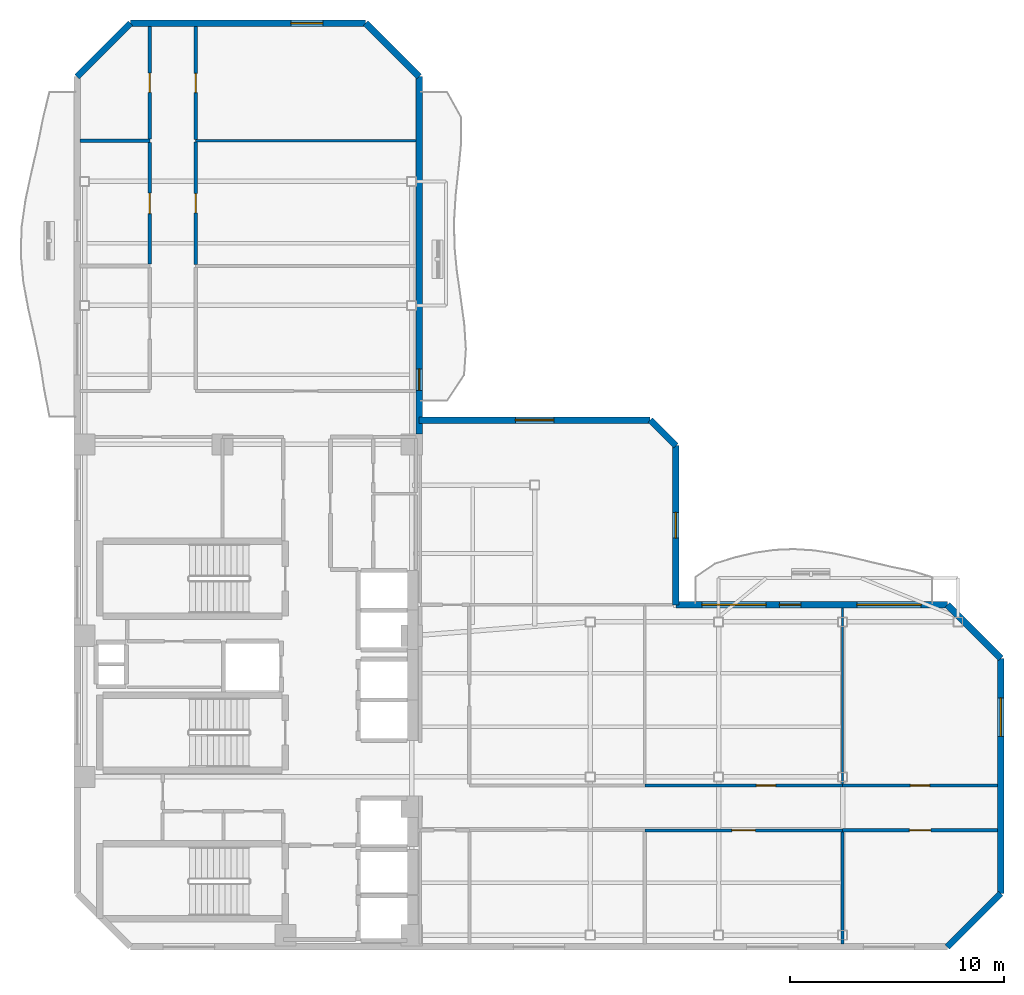
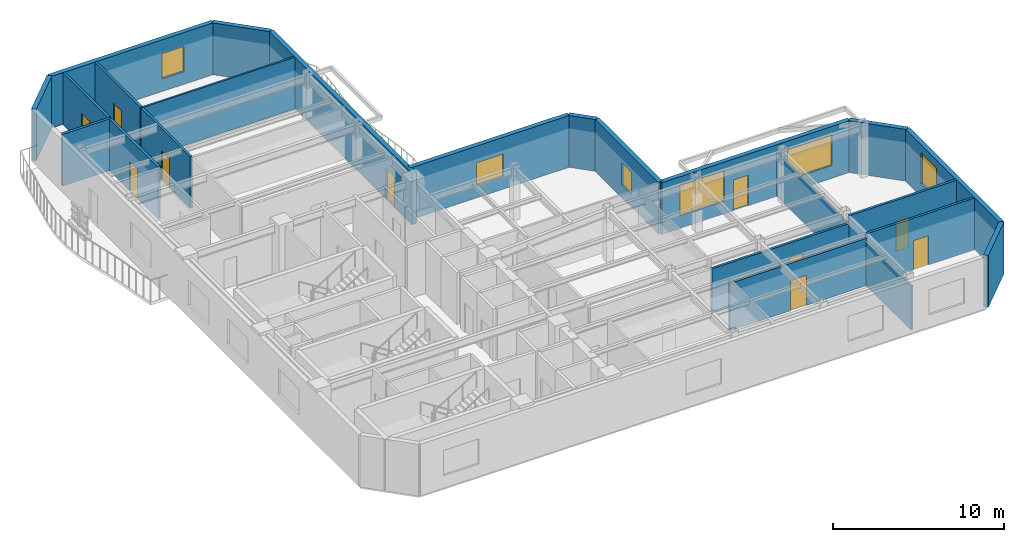
# One storey, part 5 of 9: 23 walls, 10 doors, 6 windows, 16 openings.
"""IFC4 building model written with IfcOpenShell, lengths in metres."""

from ifc_helpers import new_model, si_unit, direction, frame, frame_2d, origin, place, context, subcontext, project, spatial, rectangle, extrude, material, layer, layer_set, type_object, element, fill, save


model = new_model("IFC4")

# Units and contexts
model_context = context("Model", 3, precision=1e-05, world=origin(), true_north=direction((0.0, 1.0)))
body_context = subcontext(model_context, "Body", "Model", "MODEL_VIEW")
ifc_project = project(units=[si_unit("LENGTHUNIT", "METRE"), si_unit("AREAUNIT", "SQUARE_METRE"), si_unit("VOLUMEUNIT", "CUBIC_METRE"), si_unit("PLANEANGLEUNIT", "RADIAN"), si_unit("MASSUNIT", "GRAM", prefix="KILO")], contexts=[model_context])

# Site, building, storey
site_placement = place(None, origin())
site = spatial("IfcSite", under=ifc_project, at=site_placement, CompositionType="ELEMENT")
building_placement = place(site_placement, origin())
building = spatial("IfcBuilding", under=site, at=building_placement, Name="Mawjaban Terraces University", CompositionType="ELEMENT")
storey_placement = place(building_placement, frame((0.0, 0.0, 179.699951171875)))
storey = spatial("IfcBuildingStorey", under=building, at=storey_placement, Name="L43", CompositionType="ELEMENT", Elevation=179.699951171875)

# Wall
ifc_material_1 = material(Name="Acoustic masonry blockwork", Category="masonry")
ifc_layer_1 = layer(ifc_material_1, 0.179931640625)
ifc_layer_set_1 = layer_set([ifc_layer_1], Name="Acoustic masonry blockwork")
wall_type_1 = type_object("IfcWallType", Name="AcousticStudioWall_180", PredefinedType="PARTITIONING", material=ifc_layer_set_1)
wall_1_placement = place(storey_placement, frame((25.39990234375, 37.699951171875, 0.0), z_axis=(0.0, 0.0, 1.0), x_axis=(-1.0, 0.0, 0.0)))
element("IfcWall", 1, at=wall_1_placement, inside=storey, type_object=wall_type_1, Name="L43 Design Studio 10 Partition 5", PredefinedType="PARTITIONING", context=body_context, shape_type="SweptSolid", body=[
    extrude(rectangle(XDim=3.2548828125, YDim=0.179931640625, at=frame_2d((1.62744140625, 0.0))), origin(), (0.0, 0.0, 1.0), 3.68994140625),
])

# Wall, opening, door
wall_2_placement = place(storey_placement, frame((25.39990234375, 37.614990234375, 0.0), z_axis=(0.0, 0.0, 1.0), x_axis=(0.0, -1.0, 0.0)))
wall_2 = element("IfcWall", 2, at=wall_2_placement, inside=storey, type_object=wall_type_1, Name="L43 West Shifted Academic Corridor Partition 31", PredefinedType="PARTITIONING", context=body_context, shape_type="SweptSolid", body=[
    extrude(rectangle(XDim=5.679931640625, YDim=0.179931640625, at=frame_2d((2.83984375, 0.0))), origin(), (0.0, 0.0, 1.0), 3.68994140625),
])
opening_1_placement = place(wall_2_placement, frame((2.364990234375, 0.0, 0.0)))
opening_1 = element("IfcOpeningElement", 3, at=opening_1_placement, cuts=wall_2, Name="Opening ID-095", PredefinedType="OPENING", context=body_context, shape_type="SweptSolid", body=[
    extrude(rectangle(XDim=0.949951171875, YDim=2.10009765625, at=frame_2d((0.47509765625, 1.050048828125))), frame((0.0, 0.099853515625, 0.0), z_axis=(0.0, -1.0, 0.0), x_axis=(1.0, 0.0, 0.0)), (0.0, 0.0, 1.0), 0.199951171875),
])
ifc_material_2 = material(Name="Powder-coated steel frame and solid acoustic timber leaf", Category="steel")
door_type_1 = type_object("IfcDoorType", Name="StudioDoor_950x2100", OperationType="NOTDEFINED", PredefinedType="DOOR", material=ifc_material_2)
door_1_placement = place(opening_1_placement, origin())
door_1 = element("IfcDoor", 4, at=door_1_placement, inside=storey, type_object=door_type_1, Name="L43 Design Studio 10 Door", OperationType="SINGLE_SWING_RIGHT", OverallHeight=2.10009765625, OverallWidth=0.949951171875, PredefinedType="DOOR", context=body_context, shape_type="SweptSolid", body=[
    extrude(rectangle(XDim=0.949951171875, YDim=2.10009765625, at=frame_2d((0.47509765625, 1.050048828125))), frame((0.0, 0.02490234375, 0.0), z_axis=(0.0, -1.0, 0.0), x_axis=(1.0, 0.0, 0.0)), (0.0, 0.0, 1.0), 0.050048828125),
])
fill(opening_1, door_1)

ifc_material_3 = material(Name="Fire-rated gypsum board on steel stud", Category="steel")
ifc_layer_2 = layer(ifc_material_3, 0.159912109375)
ifc_layer_set_2 = layer_set([ifc_layer_2], Name="Fire-rated gypsum board on steel stud")
wall_type_2 = type_object("IfcWallType", Name="CorridorPartition_160", PredefinedType="PARTITIONING", material=ifc_layer_set_2)
wall_3_placement = place(storey_placement, frame((57.800048828125, 5.449951171875, 0.0), z_axis=(0.0, 0.0, 1.0), x_axis=(1.0, 0.0, 0.0)))
wall_3 = element("IfcWall", 5, at=wall_3_placement, inside=storey, type_object=wall_type_2, Name="L43 South Shifted Academic Corridor Partition 26", PredefinedType="PARTITIONING", context=body_context, shape_type="SweptSolid", body=[
    extrude(rectangle(XDim=7.2548828125, YDim=0.159912109375, at=frame_2d((3.62744140625, 0.0))), origin(), (0.0, 0.0, 1.0), 3.68994140625),
])
opening_2_placement = place(wall_3_placement, frame((3.1279296875, 0.0, 0.0)))
opening_2 = element("IfcOpeningElement", 6, at=opening_2_placement, cuts=wall_3, Name="Opening ID-100", PredefinedType="OPENING", context=body_context, shape_type="SweptSolid", body=[
    extrude(rectangle(XDim=1.0, YDim=2.10009765625, at=frame_2d((0.5, 1.050048828125))), frame((0.0, 0.08984375, 0.0), z_axis=(0.0, -1.0, 0.0), x_axis=(1.0, 0.0, 0.0)), (0.0, 0.0, 1.0), 0.179931640625),
])
door_type_2 = type_object("IfcDoorType", Name="ClassroomDoor_1000x2100", OperationType="NOTDEFINED", PredefinedType="DOOR", material=ifc_material_2)
door_2_placement = place(opening_2_placement, origin())
door_2 = element("IfcDoor", 7, at=door_2_placement, inside=storey, type_object=door_type_2, Name="L43 Classroom 6 Door", OperationType="SINGLE_SWING_RIGHT", OverallHeight=2.10009765625, OverallWidth=1.0, PredefinedType="DOOR", context=body_context, shape_type="SweptSolid", body=[
    extrude(rectangle(XDim=1.0, YDim=2.10009765625, at=frame_2d((0.5, 1.050048828125))), frame((0.0, 0.02490234375, 0.0), z_axis=(0.0, -1.0, 0.0), x_axis=(1.0, 0.0, 0.0)), (0.0, 0.0, 1.0), 0.050048828125),
])
fill(opening_2, door_2)

wall_4_placement = place(storey_placement, frame((57.800048828125, 7.550048828125, 0.0), z_axis=(0.0, 0.0, 1.0), x_axis=(-1.0, 0.0, 0.0)))
wall_4 = element("IfcWall", 8, at=wall_4_placement, inside=storey, type_object=wall_type_2, Name="L43 South Shifted Academic Corridor Partition 27", PredefinedType="PARTITIONING", context=body_context, shape_type="SweptSolid", body=[
    extrude(rectangle(XDim=9.25, YDim=0.159912109375, at=frame_2d((4.625, 0.0))), origin(), (0.0, 0.0, 1.0), 3.14599609375),
])
opening_3_placement = place(wall_4_placement, frame((3.125, 0.0, 0.0)))
opening_3 = element("IfcOpeningElement", 9, at=opening_3_placement, cuts=wall_4, Name="Opening ID-090", PredefinedType="OPENING", context=body_context, shape_type="SweptSolid", body=[
    extrude(rectangle(XDim=0.89990234375, YDim=2.10009765625, at=frame_2d((0.449951171875, 1.050048828125))), frame((0.0, 0.08984375, 0.0), z_axis=(0.0, -1.0, 0.0), x_axis=(1.0, 0.0, 0.0)), (0.0, 0.0, 1.0), 0.179931640625),
])
door_type_3 = type_object("IfcDoorType", Name="OfficeDoor_900x2100", OperationType="NOTDEFINED", PredefinedType="DOOR", material=ifc_material_2)
door_3_placement = place(opening_3_placement, origin())
door_3 = element("IfcDoor", 10, at=door_3_placement, inside=storey, type_object=door_type_3, Name="L43 Seminar Room 5 Door", OperationType="SINGLE_SWING_LEFT", OverallHeight=2.10009765625, OverallWidth=0.89990234375, PredefinedType="DOOR", context=body_context, shape_type="SweptSolid", body=[
    extrude(rectangle(XDim=0.89990234375, YDim=2.10009765625, at=frame_2d((0.449951171875, 1.050048828125))), frame((0.0, 0.02490234375, 0.0), z_axis=(0.0, -1.0, 0.0), x_axis=(1.0, 0.0, 0.0)), (0.0, 0.0, 1.0), 0.050048828125),
])
fill(opening_3, door_3)

wall_5_placement = place(storey_placement, frame((65.054931640625, 7.550048828125, 0.0), z_axis=(0.0, 0.0, 1.0), x_axis=(-1.0, 0.0, 0.0)))
wall_5 = element("IfcWall", 11, at=wall_5_placement, inside=storey, type_object=wall_type_2, Name="L43 South Shifted Academic Corridor Partition 28", PredefinedType="PARTITIONING", context=body_context, shape_type="SweptSolid", body=[
    extrude(rectangle(XDim=7.2548828125, YDim=0.159912109375, at=frame_2d((3.62744140625, 0.0))), origin(), (0.0, 0.0, 1.0), 3.68994140625),
])
opening_4_placement = place(wall_5_placement, frame((3.177978515625, 0.0, 0.0)))
opening_4 = element("IfcOpeningElement", 12, at=opening_4_placement, cuts=wall_5, Name="Opening ID-090", PredefinedType="OPENING", context=body_context, shape_type="SweptSolid", body=[
    extrude(rectangle(XDim=0.89990234375, YDim=2.10009765625, at=frame_2d((0.449951171875, 1.050048828125))), frame((0.0, 0.08984375, 0.0), z_axis=(0.0, -1.0, 0.0), x_axis=(1.0, 0.0, 0.0)), (0.0, 0.0, 1.0), 0.179931640625),
])
door_4_placement = place(opening_4_placement, origin())
door_4 = element("IfcDoor", 13, at=door_4_placement, inside=storey, type_object=door_type_3, Name="L43 Faculty Office 7 Door", OperationType="SINGLE_SWING_LEFT", OverallHeight=2.10009765625, OverallWidth=0.89990234375, PredefinedType="DOOR", context=body_context, shape_type="SweptSolid", body=[
    extrude(rectangle(XDim=0.89990234375, YDim=2.10009765625, at=frame_2d((0.449951171875, 1.050048828125))), frame((0.0, 0.02490234375, 0.0), z_axis=(0.0, -1.0, 0.0), x_axis=(1.0, 0.0, 0.0)), (0.0, 0.0, 1.0), 0.050048828125),
])
fill(opening_4, door_4)

wall_6_placement = place(storey_placement, frame((25.39990234375, 43.054931640625, 0.0), z_axis=(0.0, 0.0, 1.0), x_axis=(0.0, -1.0, 0.0)))
wall_6 = element("IfcWall", 14, at=wall_6_placement, inside=storey, type_object=wall_type_2, Name="L43 West Shifted Academic Corridor Partition 32", PredefinedType="PARTITIONING", context=body_context, shape_type="SweptSolid", body=[
    extrude(rectangle(XDim=5.27001953125, YDim=0.159912109375, at=frame_2d((2.635009765625, 0.0))), origin(), (0.0, 0.0, 1.0), 3.68994140625),
])
opening_5_placement = place(wall_6_placement, frame((2.18505859375, 0.0, 0.0)))
opening_5 = element("IfcOpeningElement", 15, at=opening_5_placement, cuts=wall_6, Name="Opening ID-090", PredefinedType="OPENING", context=body_context, shape_type="SweptSolid", body=[
    extrude(rectangle(XDim=0.89990234375, YDim=2.10009765625, at=frame_2d((0.449951171875, 1.050048828125))), frame((0.0, 0.08984375, 0.0), z_axis=(0.0, -1.0, 0.0), x_axis=(1.0, 0.0, 0.0)), (0.0, 0.0, 1.0), 0.179931640625),
])
door_5_placement = place(opening_5_placement, origin())
door_5 = element("IfcDoor", 16, at=door_5_placement, inside=storey, type_object=door_type_3, Name="L43 Quiet Reading Room 12 Door", OperationType="SINGLE_SWING_RIGHT", OverallHeight=2.10009765625, OverallWidth=0.89990234375, PredefinedType="DOOR", context=body_context, shape_type="SweptSolid", body=[
    extrude(rectangle(XDim=0.89990234375, YDim=2.10009765625, at=frame_2d((0.449951171875, 1.050048828125))), frame((0.0, 0.02490234375, 0.0), z_axis=(0.0, -1.0, 0.0), x_axis=(1.0, 0.0, 0.0)), (0.0, 0.0, 1.0), 0.050048828125),
])
fill(opening_5, door_5)

wall_7_placement = place(storey_placement, frame((27.550048828125, 31.91796875, 0.0), z_axis=(0.0, 0.0, 1.0), x_axis=(0.0, 1.0, 0.0)))
wall_7 = element("IfcWall", 17, at=wall_7_placement, inside=storey, type_object=wall_type_2, Name="L43 West Shifted Academic Corridor Partition 36", PredefinedType="PARTITIONING", context=body_context, shape_type="SweptSolid", body=[
    extrude(rectangle(XDim=5.72509765625, YDim=0.159912109375, at=frame_2d((2.862548828125, 0.0))), origin(), (0.0, 0.0, 1.0), 3.68994140625),
])
opening_6_placement = place(wall_7_placement, frame((2.4130859375, 0.0, 0.0)))
opening_6 = element("IfcOpeningElement", 18, at=opening_6_placement, cuts=wall_7, Name="Opening ID-090", PredefinedType="OPENING", context=body_context, shape_type="SweptSolid", body=[
    extrude(rectangle(XDim=0.89990234375, YDim=2.10009765625, at=frame_2d((0.449951171875, 1.050048828125))), frame((0.0, 0.08984375, 0.0), z_axis=(0.0, -1.0, 0.0), x_axis=(1.0, 0.0, 0.0)), (0.0, 0.0, 1.0), 0.179931640625),
])
door_6_placement = place(opening_6_placement, origin())
door_6 = element("IfcDoor", 19, at=door_6_placement, inside=storey, type_object=door_type_3, Name="L43 Faculty Office 11 Door", OperationType="SINGLE_SWING_LEFT", OverallHeight=2.10009765625, OverallWidth=0.89990234375, PredefinedType="DOOR", context=body_context, shape_type="SweptSolid", body=[
    extrude(rectangle(XDim=0.89990234375, YDim=2.10009765625, at=frame_2d((0.449951171875, 1.050048828125))), frame((0.0, 0.02490234375, 0.0), z_axis=(0.0, -1.0, 0.0), x_axis=(1.0, 0.0, 0.0)), (0.0, 0.0, 1.0), 0.050048828125),
])
fill(opening_6, door_6)

wall_8_placement = place(storey_placement, frame((27.550048828125, 37.758056640625, 0.0), z_axis=(0.0, 0.0, 1.0), x_axis=(0.0, 1.0, 0.0)))
wall_8 = element("IfcWall", 20, at=wall_8_placement, inside=storey, type_object=wall_type_2, Name="L43 West Shifted Academic Corridor Partition 37", PredefinedType="PARTITIONING", context=body_context, shape_type="SweptSolid", body=[
    extrude(rectangle(XDim=5.296875, YDim=0.159912109375, at=frame_2d((2.6484375, 0.0))), origin(), (0.0, 0.0, 1.0), 3.68994140625),
])
opening_7_placement = place(wall_8_placement, frame((2.197998046875, 0.0, 0.0)))
opening_7 = element("IfcOpeningElement", 21, at=opening_7_placement, cuts=wall_8, Name="Opening ID-090", PredefinedType="OPENING", context=body_context, shape_type="SweptSolid", body=[
    extrude(rectangle(XDim=0.89990234375, YDim=2.10009765625, at=frame_2d((0.449951171875, 1.050048828125))), frame((0.0, 0.08984375, 0.0), z_axis=(0.0, -1.0, 0.0), x_axis=(1.0, 0.0, 0.0)), (0.0, 0.0, 1.0), 0.179931640625),
])
door_7_placement = place(opening_7_placement, origin())
door_7 = element("IfcDoor", 22, at=door_7_placement, inside=storey, type_object=door_type_3, Name="L43 Collaborative Study Room 13 Door", OperationType="SINGLE_SWING_LEFT", OverallHeight=2.10009765625, OverallWidth=0.89990234375, PredefinedType="DOOR", context=body_context, shape_type="SweptSolid", body=[
    extrude(rectangle(XDim=0.89990234375, YDim=2.10009765625, at=frame_2d((0.449951171875, 1.050048828125))), frame((0.0, 0.02490234375, 0.0), z_axis=(0.0, -1.0, 0.0), x_axis=(1.0, 0.0, 0.0)), (0.0, 0.0, 1.0), 0.050048828125),
])
fill(opening_7, door_7)

# Wall
ifc_material_4 = material(Name="Insulated terracotta rainscreen on concrete backup C40/50", Category="masonry")
ifc_layer_3 = layer(ifc_material_4, 0.300048828125)
ifc_layer_set_3 = layer_set([ifc_layer_3], Name="Insulated terracotta rainscreen on concrete backup C40/50")
wall_type_3 = type_object("IfcWallType", Name="ExtTerracottaWall_300", PredefinedType="SOLIDWALL", material=ifc_layer_set_3)
wall_9_placement = place(storey_placement, frame((62.699951171875, 0.0, 0.0), z_axis=(0.0, 0.0, 1.0), x_axis=(0.707106781187, 0.707106781187, 0.0)))
element("IfcWall", 23, at=wall_9_placement, inside=storey, type_object=wall_type_3, Name="L43 Exterior Terracotta Wall 2", PredefinedType="SOLIDWALL", context=body_context, shape_type="SweptSolid", body=[
    extrude(rectangle(XDim=3.53564453125, YDim=0.300048828125, at=frame_2d((1.767822265625, 0.0))), origin(), (0.0, 0.0, 1.0), 3.68994140625),
])

# Wall, opening, window
wall_10_placement = place(storey_placement, frame((65.199951171875, 2.5, 0.0), z_axis=(0.0, 0.0, 1.0), x_axis=(0.0, 1.0, 0.0)))
wall_10 = element("IfcWall", 24, at=wall_10_placement, inside=storey, type_object=wall_type_3, Name="L43 Exterior Terracotta Wall 3", PredefinedType="SOLIDWALL", context=body_context, shape_type="SweptSolid", body=[
    extrude(rectangle(XDim=11.0, YDim=0.300048828125, at=frame_2d((5.5, 0.0))), origin(), (0.0, 0.0, 1.0), 3.68994140625),
])
opening_8_placement = place(wall_10_placement, frame((7.35009765625, 0.0, 0.89990234375)))
opening_8 = element("IfcOpeningElement", 25, at=opening_8_placement, cuts=wall_10, Name="Opening W-10", PredefinedType="OPENING", context=body_context, shape_type="SweptSolid", body=[
    extrude(rectangle(XDim=1.800048828125, YDim=2.199951171875, at=frame_2d((0.89990234375, 1.10009765625))), frame((0.0, 0.159912109375, 0.0), z_axis=(0.0, -1.0, 0.0), x_axis=(1.0, 0.0, 0.0)), (0.0, 0.0, 1.0), 0.320068359375),
])
ifc_material_5 = material(Name="Low-E solar-control double glazing in thermally broken aluminium frame", Category="aluminium")
window_type_1 = type_object("IfcWindowType", Name="Win_1800x2200", PartitioningType="SINGLE_PANEL", PredefinedType="WINDOW", material=ifc_material_5)
window_1_placement = place(opening_8_placement, origin())
window_1 = element("IfcWindow", 26, at=window_1_placement, inside=storey, type_object=window_type_1, Name="L43 Facade Window 3.2", OverallHeight=2.199951171875, OverallWidth=1.800048828125, PartitioningType="SINGLE_PANEL", PredefinedType="WINDOW", context=body_context, shape_type="SweptSolid", body=[
    extrude(rectangle(XDim=1.800048828125, YDim=2.199951171875, at=frame_2d((0.89990234375, 1.10009765625))), frame((0.0, 0.030029296875, 0.0), z_axis=(0.0, -1.0, 0.0), x_axis=(1.0, 0.0, 0.0)), (0.0, 0.0, 1.0), 0.06005859375),
])
fill(opening_8, window_1)

# Wall
wall_11_placement = place(storey_placement, frame((65.199951171875, 13.5, 0.0), z_axis=(0.0, 0.0, 1.0), x_axis=(-0.707106781187, 0.707106781187, 0.0)))
element("IfcWall", 27, at=wall_11_placement, inside=storey, type_object=wall_type_3, Name="L43 Exterior Terracotta Wall 4", PredefinedType="SOLIDWALL", context=body_context, shape_type="SweptSolid", body=[
    extrude(rectangle(XDim=3.53564453125, YDim=0.300048828125, at=frame_2d((1.767822265625, 0.0))), origin(), (0.0, 0.0, 1.0), 3.68994140625),
])

# Wall, openings, door, windows
wall_12_placement = place(storey_placement, frame((62.699951171875, 16.0, 0.0), z_axis=(0.0, 0.0, 1.0), x_axis=(-1.0, 0.0, 0.0)))
wall_12 = element("IfcWall", 28, at=wall_12_placement, inside=storey, type_object=wall_type_3, Name="L43 Exterior Terracotta Wall 5", PredefinedType="SOLIDWALL", context=body_context, shape_type="SweptSolid", body=[
    extrude(rectangle(XDim=12.699951171875, YDim=0.300048828125, at=frame_2d((6.35009765625, 0.0))), origin(), (0.0, 0.0, 1.0), 3.68994140625),
])
opening_9_placement = place(wall_12_placement, frame((6.85009765625, 0.0, 0.0)))
opening_9 = element("IfcOpeningElement", 29, at=opening_9_placement, cuts=wall_12, Name="Opening BD-100", PredefinedType="OPENING", context=body_context, shape_type="SweptSolid", body=[
    extrude(rectangle(XDim=1.0, YDim=2.199951171875, at=frame_2d((0.5, 1.10009765625))), frame((0.0, 0.159912109375, 0.0), z_axis=(0.0, -1.0, 0.0), x_axis=(1.0, 0.0, 0.0)), (0.0, 0.0, 1.0), 0.320068359375),
])
opening_10_placement = place(wall_12_placement, frame((1.22509765625, 0.0, 0.89990234375)))
opening_10 = element("IfcOpeningElement", 30, at=opening_10_placement, cuts=wall_12, Name="Opening W-12", PredefinedType="OPENING", context=body_context, shape_type="SweptSolid", body=[
    extrude(rectangle(XDim=3.0, YDim=2.199951171875, at=frame_2d((1.5, 1.10009765625))), frame((0.0, 0.159912109375, 0.0), z_axis=(0.0, -1.0, 0.0), x_axis=(1.0, 0.0, 0.0)), (0.0, 0.0, 1.0), 0.320068359375),
])
opening_11_placement = place(wall_12_placement, frame((8.47509765625, 0.0, 0.89990234375)))
opening_11 = element("IfcOpeningElement", 31, at=opening_11_placement, cuts=wall_12, Name="Opening W-12", PredefinedType="OPENING", context=body_context, shape_type="SweptSolid", body=[
    extrude(rectangle(XDim=3.0, YDim=2.199951171875, at=frame_2d((1.5, 1.10009765625))), frame((0.0, 0.159912109375, 0.0), z_axis=(0.0, -1.0, 0.0), x_axis=(1.0, 0.0, 0.0)), (0.0, 0.0, 1.0), 0.320068359375),
])
ifc_material_6 = material(Name="Thermally broken anodised aluminium and laminated safety glass", Category="aluminium")
door_type_4 = type_object("IfcDoorType", Name="BalconyGlazedDoor_1000x2200", OperationType="NOTDEFINED", PredefinedType="DOOR", material=ifc_material_6)
door_8_placement = place(opening_9_placement, origin())
door_8 = element("IfcDoor", 32, at=door_8_placement, inside=storey, type_object=door_type_4, Name="L43 Balcony Access Door inner_north", OperationType="SINGLE_SWING_RIGHT", OverallHeight=2.199951171875, OverallWidth=1.0, PredefinedType="DOOR", context=body_context, shape_type="SweptSolid", body=[
    extrude(rectangle(XDim=1.0, YDim=2.199951171875, at=frame_2d((0.5, 1.10009765625))), frame((0.0, 0.02490234375, 0.0), z_axis=(0.0, -1.0, 0.0), x_axis=(1.0, 0.0, 0.0)), (0.0, 0.0, 1.0), 0.050048828125),
])
fill(opening_9, door_8)
window_type_2 = type_object("IfcWindowType", Name="Win_3000x2200", PartitioningType="SINGLE_PANEL", PredefinedType="WINDOW", material=ifc_material_5)
window_2_placement = place(opening_10_placement, origin())
window_2 = element("IfcWindow", 33, at=window_2_placement, inside=storey, type_object=window_type_2, Name="L43 Facade Window 5.1", OverallHeight=2.199951171875, OverallWidth=3.0, PartitioningType="SINGLE_PANEL", PredefinedType="WINDOW", context=body_context, shape_type="SweptSolid", body=[
    extrude(rectangle(XDim=3.0, YDim=2.199951171875, at=frame_2d((1.5, 1.10009765625))), frame((0.0, 0.030029296875, 0.0), z_axis=(0.0, -1.0, 0.0), x_axis=(1.0, 0.0, 0.0)), (0.0, 0.0, 1.0), 0.06005859375),
])
fill(opening_10, window_2)
window_3_placement = place(opening_11_placement, origin())
window_3 = element("IfcWindow", 34, at=window_3_placement, inside=storey, type_object=window_type_2, Name="L43 Facade Window 5.2", OverallHeight=2.199951171875, OverallWidth=3.0, PartitioningType="SINGLE_PANEL", PredefinedType="WINDOW", context=body_context, shape_type="SweptSolid", body=[
    extrude(rectangle(XDim=3.0, YDim=2.199951171875, at=frame_2d((1.5, 1.10009765625))), frame((0.0, 0.030029296875, 0.0), z_axis=(0.0, -1.0, 0.0), x_axis=(1.0, 0.0, 0.0)), (0.0, 0.0, 1.0), 0.06005859375),
])
fill(opening_11, window_3)

# Wall, opening, window
wall_13_placement = place(storey_placement, frame((50.0, 16.0, 0.0), z_axis=(0.0, 0.0, 1.0), x_axis=(0.0, 1.0, 0.0)))
wall_13 = element("IfcWall", 35, at=wall_13_placement, inside=storey, type_object=wall_type_3, Name="L43 Exterior Terracotta Wall 6", PredefinedType="SOLIDWALL", context=body_context, shape_type="SweptSolid", body=[
    extrude(rectangle(XDim=7.43994140625, YDim=0.300048828125, at=frame_2d((3.719970703125, 0.0))), origin(), (0.0, 0.0, 1.0), 3.68994140625),
])
opening_12_placement = place(wall_13_placement, frame((3.1201171875, 0.0, 0.89990234375)))
opening_12 = element("IfcOpeningElement", 36, at=opening_12_placement, cuts=wall_13, Name="Opening W-01", PredefinedType="OPENING", context=body_context, shape_type="SweptSolid", body=[
    extrude(rectangle(XDim=1.199951171875, YDim=1.60009765625, at=frame_2d((0.60009765625, 0.800048828125))), frame((0.0, 0.159912109375, 0.0), z_axis=(0.0, -1.0, 0.0), x_axis=(1.0, 0.0, 0.0)), (0.0, 0.0, 1.0), 0.320068359375),
])
window_type_3 = type_object("IfcWindowType", Name="Win_1200x1600", PartitioningType="SINGLE_PANEL", PredefinedType="WINDOW", material=ifc_material_5)
window_4_placement = place(opening_12_placement, origin())
window_4 = element("IfcWindow", 37, at=window_4_placement, inside=storey, type_object=window_type_3, Name="L43 Facade Window 6.1", OverallHeight=1.60009765625, OverallWidth=1.199951171875, PartitioningType="SINGLE_PANEL", PredefinedType="WINDOW", context=body_context, shape_type="SweptSolid", body=[
    extrude(rectangle(XDim=1.199951171875, YDim=1.60009765625, at=frame_2d((0.60009765625, 0.800048828125))), frame((0.0, 0.030029296875, 0.0), z_axis=(0.0, -1.0, 0.0), x_axis=(1.0, 0.0, 0.0)), (0.0, 0.0, 1.0), 0.06005859375),
])
fill(opening_12, window_4)

# Wall
wall_14_placement = place(storey_placement, frame((50.0, 23.43994140625, 0.0), z_axis=(0.0, 0.0, 1.0), x_axis=(-0.707106781187, 0.707106781187, 0.0)))
element("IfcWall", 38, at=wall_14_placement, inside=storey, type_object=wall_type_3, Name="L43 Exterior Terracotta Wall 7", PredefinedType="SOLIDWALL", context=body_context, shape_type="SweptSolid", body=[
    extrude(rectangle(XDim=1.697021484375, YDim=0.300048828125, at=frame_2d((0.8486328125, 0.0))), origin(), (0.0, 0.0, 1.0), 3.68994140625),
])

# Wall, opening, window
wall_15_placement = place(storey_placement, frame((48.800048828125, 24.639892578125, 0.0), z_axis=(0.0, 0.0, 1.0), x_axis=(-1.0, 0.0, 0.0)))
wall_15 = element("IfcWall", 39, at=wall_15_placement, inside=storey, type_object=wall_type_3, Name="L43 Exterior Terracotta Wall 8", PredefinedType="SOLIDWALL", context=body_context, shape_type="SweptSolid", body=[
    extrude(rectangle(XDim=10.800048828125, YDim=0.300048828125, at=frame_2d((5.39990234375, 0.0))), origin(), (0.0, 0.0, 1.0), 3.68994140625),
])
opening_13_placement = place(wall_15_placement, frame((4.5, 0.0, 0.89990234375)))
opening_13 = element("IfcOpeningElement", 40, at=opening_13_placement, cuts=wall_15, Name="Opening W-03", PredefinedType="OPENING", context=body_context, shape_type="SweptSolid", body=[
    extrude(rectangle(XDim=1.800048828125, YDim=1.60009765625, at=frame_2d((0.89990234375, 0.800048828125))), frame((0.0, 0.159912109375, 0.0), z_axis=(0.0, -1.0, 0.0), x_axis=(1.0, 0.0, 0.0)), (0.0, 0.0, 1.0), 0.320068359375),
])
window_type_4 = type_object("IfcWindowType", Name="Win_1800x1600", PartitioningType="SINGLE_PANEL", PredefinedType="WINDOW", material=ifc_material_5)
window_5_placement = place(opening_13_placement, origin())
window_5 = element("IfcWindow", 41, at=window_5_placement, inside=storey, type_object=window_type_4, Name="L43 Facade Window 8.1", OverallHeight=1.60009765625, OverallWidth=1.800048828125, PartitioningType="SINGLE_PANEL", PredefinedType="WINDOW", context=body_context, shape_type="SweptSolid", body=[
    extrude(rectangle(XDim=1.800048828125, YDim=1.60009765625, at=frame_2d((0.89990234375, 0.800048828125))), frame((0.0, 0.030029296875, 0.0), z_axis=(0.0, -1.0, 0.0), x_axis=(1.0, 0.0, 0.0)), (0.0, 0.0, 1.0), 0.06005859375),
])
fill(opening_13, window_5)

# Wall, opening, door
wall_16_placement = place(storey_placement, frame((38.0, 24.0, 0.0), z_axis=(0.0, 0.0, 1.0), x_axis=(0.0, 1.0, 0.0)))
wall_16 = element("IfcWall", 42, at=wall_16_placement, inside=storey, type_object=wall_type_3, Name="L43 Exterior Terracotta Wall 9", PredefinedType="SOLIDWALL", context=body_context, shape_type="SweptSolid", body=[
    extrude(rectangle(XDim=16.699951171875, YDim=0.300048828125, at=frame_2d((8.35009765625, 0.0))), origin(), (0.0, 0.0, 1.0), 3.68994140625),
])
opening_14_placement = place(wall_16_placement, frame((2.030029296875, 0.0, 0.0)))
opening_14 = element("IfcOpeningElement", 43, at=opening_14_placement, cuts=wall_16, Name="Opening BD-100", PredefinedType="OPENING", context=body_context, shape_type="SweptSolid", body=[
    extrude(rectangle(XDim=1.0, YDim=2.199951171875, at=frame_2d((0.5, 1.10009765625))), frame((0.0, 0.159912109375, 0.0), z_axis=(0.0, -1.0, 0.0), x_axis=(1.0, 0.0, 0.0)), (0.0, 0.0, 1.0), 0.320068359375),
])
door_9_placement = place(opening_14_placement, origin())
door_9 = element("IfcDoor", 44, at=door_9_placement, inside=storey, type_object=door_type_4, Name="L43 Balcony Access Door inner_east", OperationType="SINGLE_SWING_LEFT", OverallHeight=2.199951171875, OverallWidth=1.0, PredefinedType="DOOR", context=body_context, shape_type="SweptSolid", body=[
    extrude(rectangle(XDim=1.0, YDim=2.199951171875, at=frame_2d((0.5, 1.10009765625))), frame((0.0, 0.02490234375, 0.0), z_axis=(0.0, -1.0, 0.0), x_axis=(1.0, 0.0, 0.0)), (0.0, 0.0, 1.0), 0.050048828125),
])
fill(opening_14, door_9)

# Wall
wall_17_placement = place(storey_placement, frame((38.0, 40.699951171875, 0.0), z_axis=(0.0, 0.0, 1.0), x_axis=(-0.707106781187, 0.707106781187, 0.0)))
element("IfcWall", 45, at=wall_17_placement, inside=storey, type_object=wall_type_3, Name="L43 Exterior Terracotta Wall 10", PredefinedType="SOLIDWALL", context=body_context, shape_type="SweptSolid", body=[
    extrude(rectangle(XDim=3.53564453125, YDim=0.300048828125, at=frame_2d((1.767822265625, 0.0))), origin(), (0.0, 0.0, 1.0), 3.68994140625),
])

# Wall, opening, window
wall_18_placement = place(storey_placement, frame((35.5, 43.199951171875, 0.0), z_axis=(0.0, 0.0, 1.0), x_axis=(-1.0, 0.0, 0.0)))
wall_18 = element("IfcWall", 46, at=wall_18_placement, inside=storey, type_object=wall_type_3, Name="L43 Exterior Terracotta Wall 11", PredefinedType="SOLIDWALL", context=body_context, shape_type="SweptSolid", body=[
    extrude(rectangle(XDim=11.0, YDim=0.300048828125, at=frame_2d((5.5, 0.0))), origin(), (0.0, 0.0, 1.0), 3.68994140625),
])
opening_15_placement = place(wall_18_placement, frame((2.0, 0.0, 0.89990234375)))
opening_15 = element("IfcOpeningElement", 47, at=opening_15_placement, cuts=wall_18, Name="Opening W-06", PredefinedType="OPENING", context=body_context, shape_type="SweptSolid", body=[
    extrude(rectangle(XDim=1.5, YDim=1.800048828125, at=frame_2d((0.75, 0.89990234375))), frame((0.0, 0.159912109375, 0.0), z_axis=(0.0, -1.0, 0.0), x_axis=(1.0, 0.0, 0.0)), (0.0, 0.0, 1.0), 0.320068359375),
])
window_type_5 = type_object("IfcWindowType", Name="Win_1500x1800", PartitioningType="SINGLE_PANEL", PredefinedType="WINDOW", material=ifc_material_5)
window_6_placement = place(opening_15_placement, origin())
window_6 = element("IfcWindow", 48, at=window_6_placement, inside=storey, type_object=window_type_5, Name="L43 Facade Window 11.1", OverallHeight=1.800048828125, OverallWidth=1.5, PartitioningType="SINGLE_PANEL", PredefinedType="WINDOW", context=body_context, shape_type="SweptSolid", body=[
    extrude(rectangle(XDim=1.5, YDim=1.800048828125, at=frame_2d((0.75, 0.89990234375))), frame((0.0, 0.030029296875, 0.0), z_axis=(0.0, -1.0, 0.0), x_axis=(1.0, 0.0, 0.0)), (0.0, 0.0, 1.0), 0.06005859375),
])
fill(opening_15, window_6)

# Wall
wall_19_placement = place(storey_placement, frame((24.5, 43.199951171875, 0.0), z_axis=(0.0, 0.0, 1.0), x_axis=(-0.707106781187, -0.707106781187, 0.0)))
element("IfcWall", 49, at=wall_19_placement, inside=storey, type_object=wall_type_3, Name="L43 Exterior Terracotta Wall 12", PredefinedType="SOLIDWALL", context=body_context, shape_type="SweptSolid", body=[
    extrude(rectangle(XDim=3.53564453125, YDim=0.300048828125, at=frame_2d((1.767822265625, 0.0))), origin(), (0.0, 0.0, 1.0), 3.68994140625),
])

# Wall, opening, door
ifc_material_7 = material(Name="Moisture-resistant gypsum board on steel stud", Category="steel")
ifc_layer_4 = layer(ifc_material_7, 0.14501953125)
ifc_layer_set_4 = layer_set([ifc_layer_4], Name="Moisture-resistant gypsum board on steel stud")
wall_type_4 = type_object("IfcWallType", Name="LabPartition_145", PredefinedType="PARTITIONING", material=ifc_layer_set_4)
wall_20_placement = place(storey_placement, frame((48.550048828125, 5.449951171875, 0.0), z_axis=(0.0, 0.0, 1.0), x_axis=(1.0, 0.0, 0.0)))
wall_20 = element("IfcWall", 50, at=wall_20_placement, inside=storey, type_object=wall_type_4, Name="L43 South Shifted Academic Corridor Partition 22", PredefinedType="PARTITIONING", context=body_context, shape_type="SweptSolid", body=[
    extrude(rectangle(XDim=9.25, YDim=0.14501953125, at=frame_2d((4.625, 0.0))), origin(), (0.0, 0.0, 1.0), 3.3720703125),
])
opening_16_placement = place(wall_20_placement, frame((4.074951171875, 0.0, 0.0)))
opening_16 = element("IfcOpeningElement", 51, at=opening_16_placement, cuts=wall_20, Name="Opening ID-110", PredefinedType="OPENING", context=body_context, shape_type="SweptSolid", body=[
    extrude(rectangle(XDim=1.10009765625, YDim=2.14990234375, at=frame_2d((0.550048828125, 1.074951171875))), frame((0.0, 0.08251953125, 0.0), z_axis=(0.0, -1.0, 0.0), x_axis=(1.0, 0.0, 0.0)), (0.0, 0.0, 1.0), 0.1650390625),
])
door_type_5 = type_object("IfcDoorType", Name="LabDoor_1100x2150", OperationType="NOTDEFINED", PredefinedType="DOOR", material=ifc_material_2)
door_10_placement = place(opening_16_placement, origin())
door_10 = element("IfcDoor", 52, at=door_10_placement, inside=storey, type_object=door_type_5, Name="L43 Teaching Laboratory 4 Door", OperationType="SINGLE_SWING_RIGHT", OverallHeight=2.14990234375, OverallWidth=1.10009765625, PredefinedType="DOOR", context=body_context, shape_type="SweptSolid", body=[
    extrude(rectangle(XDim=1.10009765625, YDim=2.14990234375, at=frame_2d((0.550048828125, 1.074951171875))), frame((0.0, 0.02490234375, 0.0), z_axis=(0.0, -1.0, 0.0), x_axis=(1.0, 0.0, 0.0)), (0.0, 0.0, 1.0), 0.050048828125),
])
fill(opening_16, door_10)

# Walls
wall_21_placement = place(storey_placement, frame((57.800048828125, 0.14501953125, 0.0), z_axis=(0.0, 0.0, 1.0), x_axis=(0.0, 1.0, 0.0)))
element("IfcWall", 53, at=wall_21_placement, inside=storey, type_object=wall_type_4, Name="L43 Teaching Laboratory 4 Partition 55", PredefinedType="PARTITIONING", context=body_context, shape_type="SweptSolid", body=[
    extrude(rectangle(XDim=5.22998046875, YDim=0.14501953125, at=frame_2d((2.614990234375, 0.0))), origin(), (0.0, 0.0, 1.0), 3.14599609375),
])
ifc_material_8 = material(Name="Gypsum plasterboard on steel stud", Category="steel")
ifc_layer_5 = layer(ifc_material_8, 0.125)
ifc_layer_set_5 = layer_set([ifc_layer_5], Name="Gypsum plasterboard on steel stud")
wall_type_5 = type_object("IfcWallType", Name="OfficePartition_125", PredefinedType="PARTITIONING", material=ifc_layer_set_5)
wall_22_placement = place(storey_placement, frame((37.85009765625, 37.699951171875, 0.0), z_axis=(0.0, 0.0, 1.0), x_axis=(-1.0, 0.0, 0.0)))
element("IfcWall", 54, at=wall_22_placement, inside=storey, type_object=wall_type_5, Name="L43 Faculty Office 11 Partition 18", PredefinedType="PARTITIONING", context=body_context, shape_type="SweptSolid", body=[
    extrude(rectangle(XDim=10.300048828125, YDim=0.125, at=frame_2d((5.14990234375, 0.0))), origin(), (0.0, 0.0, 1.0), 3.68994140625),
])
ifc_material_9 = material(Name="Acoustic operable panel partition", Category="masonry")
ifc_layer_6 = layer(ifc_material_9, 0.110107421875)
ifc_layer_set_6 = layer_set([ifc_layer_6], Name="Acoustic operable panel partition")
wall_type_6 = type_object("IfcWallType", Name="OperableSeminarWall_110", PredefinedType="MOVABLE", material=ifc_layer_set_6)
wall_23_placement = place(storey_placement, frame((57.800048828125, 7.625, 0.0), z_axis=(0.0, 0.0, 1.0), x_axis=(0.0, 1.0, 0.0)))
element("IfcWall", 55, at=wall_23_placement, inside=storey, type_object=wall_type_6, Name="L43 Seminar Room 5 Partition 56", PredefinedType="MOVABLE", context=body_context, shape_type="SweptSolid", body=[
    extrude(rectangle(XDim=8.22998046875, YDim=0.110107421875, at=frame_2d((4.114990234375, 0.0))), origin(), (0.0, 0.0, 1.0), 3.14599609375),
])

save(model, "model.ifc")
